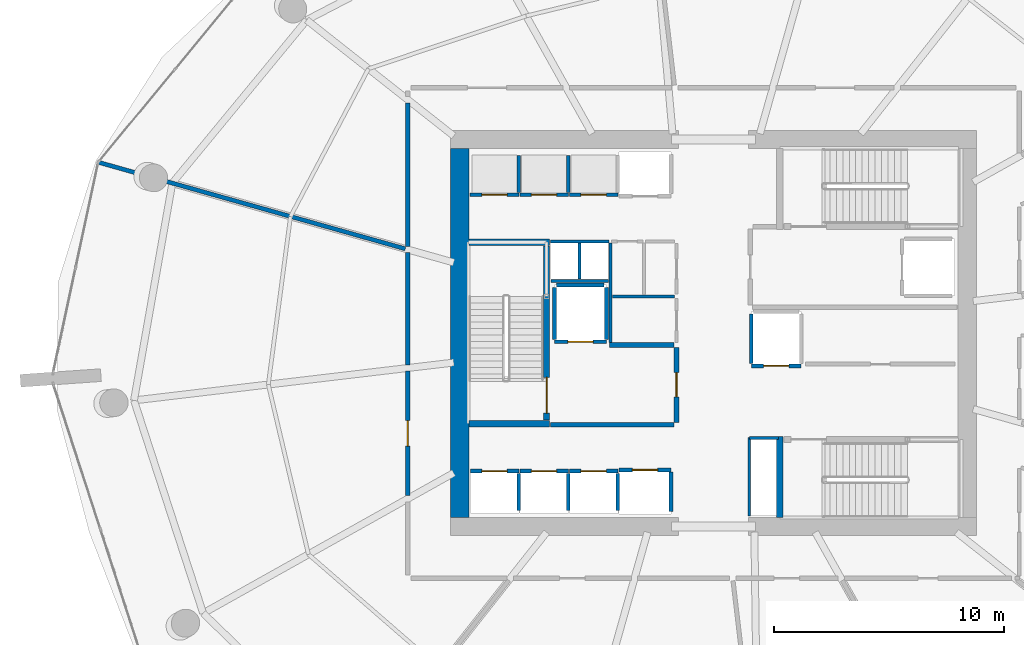
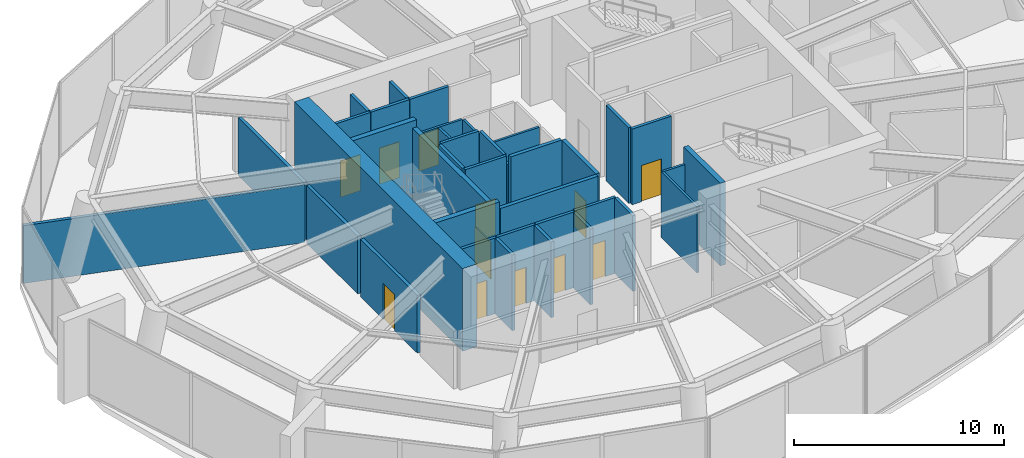
# One storey, part 11 of 16: 38 walls, 12 doors, 12 openings.
"""IFC4 building model written with IfcOpenShell, lengths in metres."""

from ifc_helpers import new_model, si_unit, direction, frame, frame_2d, origin, place, context, subcontext, project, spatial, rectangle, extrude, material, layer, layer_set, type_object, element, fill, save


model = new_model("IFC4")

# Units and contexts
model_context = context("Model", 3, precision=1e-05, world=origin(), true_north=direction((0.0, 1.0)))
body_context = subcontext(model_context, "Body", "Model", "MODEL_VIEW")
ifc_project = project(units=[si_unit("LENGTHUNIT", "METRE"), si_unit("AREAUNIT", "SQUARE_METRE"), si_unit("VOLUMEUNIT", "CUBIC_METRE"), si_unit("PLANEANGLEUNIT", "RADIAN"), si_unit("MASSUNIT", "GRAM", prefix="KILO")], contexts=[model_context])

# Site, building, storey
site_placement = place(None, origin())
site = spatial("IfcSite", under=ifc_project, at=site_placement, CompositionType="ELEMENT")
building_placement = place(site_placement, origin())
building = spatial("IfcBuilding", under=site, at=building_placement, Name="Kazma Halo Residences", CompositionType="ELEMENT")
storey_placement = place(building_placement, frame((0.0, 0.0, 123.0)))
storey = spatial("IfcBuildingStorey", under=building, at=storey_placement, Name="L30", CompositionType="ELEMENT", Elevation=123.0)

# Walls
ifc_material_1 = material(Name="Concrete C80/95", Category="concrete")
ifc_layer_1 = layer(ifc_material_1, 0.800048828125)
ifc_layer_set_1 = layer_set([ifc_layer_1], Name="Concrete C80/95")
wall_type_1 = type_object("IfcWallType", Name="WL-CORE-800", PredefinedType="SHEAR", material=ifc_layer_set_1)
wall_1_placement = place(storey_placement, frame((37.39990234375, 34.0, 0.0), z_axis=(0.0, 0.0, 1.0), x_axis=(0.0, 1.0, 0.0)))
element("IfcWall", 1, at=wall_1_placement, inside=storey, type_object=wall_type_1, Name="L30 central core shear wall W", PredefinedType="SHEAR", context=body_context, shape_type="SweptSolid", body=[
    extrude(rectangle(XDim=16.0, YDim=0.800048828125, at=frame_2d((8.0, 0.0))), origin(), (0.0, 0.0, 1.0), 4.800048828125),
])
ifc_material_2 = material(Name="Concrete C60/75", Category="concrete")
ifc_layer_2 = layer(ifc_material_2, 0.280029296875)
ifc_layer_set_2 = layer_set([ifc_layer_2], Name="Concrete C60/75")
wall_type_2 = type_object("IfcWallType", Name="WL-CORE-ST-280", PredefinedType="SHEAR", material=ifc_layer_set_2)
for number, where, z_axis, x_axis, name in (
    (2, (37.800048828125, 38.06005859375, 0.0), (0.0, 0.0, 1.0), (1.0, 0.0, 0.0), "L30 stairwell bearing wall ST01-S"),
    (3, (37.800048828125, 45.93994140625, 0.0), (0.0, 0.0, 1.0), (1.0, 0.0, 0.0), "L30 stairwell bearing wall ST01-N"),
    (4, (51.31005859375, 34.0, 0.0), (0.0, 0.0, 1.0), (0.0, 1.0, 0.0), "L30 stairwell bearing wall ST03-W"),
):
    element("IfcWall", number, at=place(storey_placement, frame(where, z_axis=z_axis, x_axis=x_axis)), inside=storey, type_object=wall_type_2, Name=name, PredefinedType="SHEAR", context=body_context, shape_type="SweptSolid", body=[
        extrude(rectangle(XDim=3.5, YDim=0.280029296875, at=frame_2d((1.75, 0.0))), origin(), (0.0, 0.0, 1.0), 4.800048828125),
    ])
ifc_material_3 = material(Name="Acoustic Twin-Stud Gypsum")
ifc_layer_3 = layer(ifc_material_3, 0.179931640625)
ifc_layer_set_3 = layer_set([ifc_layer_3], Name="Acoustic Twin-Stud Gypsum")
wall_type_3 = type_object("IfcWallType", Name="WL-DEM-180", PredefinedType="PARTITIONING", material=ifc_layer_set_3)
wall_2_placement = place(storey_placement, frame((35.14990234375, 51.989990234375, 0.0), z_axis=(0.0, 0.0, 1.0), x_axis=(0.0, -1.0, 0.0)))
element("IfcWall", 5, at=wall_2_placement, inside=storey, type_object=wall_type_3, Name="L30 Arabian Gulf Sky Lounge corridor wall", PredefinedType="PARTITIONING", context=body_context, shape_type="SweptSolid", body=[
    extrude(rectangle(XDim=6.225830078125, YDim=0.179931640625, at=frame_2d((3.11279296875, 0.0))), origin(), (0.0, 0.0, 1.0), 3.35693359375),
])
wall_3_placement = place(storey_placement, frame((35.044189453125, 45.654052734375, 0.0), z_axis=(0.0, 0.0, 1.0), x_axis=(-0.962458076293, 0.271430380351, 0.0)))
element("IfcWall", 6, at=wall_3_placement, inside=storey, type_object=wall_type_3, Name="L30 radial partition wall 06", PredefinedType="PARTITIONING", context=body_context, shape_type="SweptSolid", body=[
    extrude(rectangle(XDim=13.822998046875, YDim=0.179931640625, at=frame_2d((6.91162109375, 0.0))), origin(), (0.0, 0.0, 1.0), 3.35693359375),
])
wall_4_placement = place(storey_placement, frame((35.14990234375, 45.484130859375, 0.0), z_axis=(0.0, 0.0, 1.0), x_axis=(0.0, -1.0, 0.0)))
element("IfcWall", 7, at=wall_4_placement, inside=storey, type_object=wall_type_3, Name="L30 Sky Wellness Studio corridor wall", PredefinedType="PARTITIONING", context=body_context, shape_type="SweptSolid", body=[
    extrude(rectangle(XDim=4.864990234375, YDim=0.179931640625, at=frame_2d((2.4326171875, 0.0))), origin(), (0.0, 0.0, 1.0), 3.35693359375),
])

# Wall, opening, door
wall_5_placement = place(storey_placement, frame((35.14990234375, 40.339111328125, 0.0), z_axis=(0.0, 0.0, 1.0), x_axis=(0.0, -1.0, 0.0)))
wall_5 = element("IfcWall", 8, at=wall_5_placement, inside=storey, type_object=wall_type_3, Name="L30 Sky Wellness Studio corridor wall", PredefinedType="PARTITIONING", context=body_context, shape_type="SweptSolid", body=[
    extrude(rectangle(XDim=5.3955078125, YDim=0.179931640625, at=frame_2d((2.69775390625, 0.0))), origin(), (0.0, 0.0, 1.0), 3.35693359375),
])
opening_1_placement = place(wall_5_placement, frame((2.147705078125, 0.0, 0.0)))
opening_1 = element("IfcOpeningElement", 9, at=opening_1_placement, cuts=wall_5, Name="Opening DA-1100", PredefinedType="OPENING", context=body_context, shape_type="SweptSolid", body=[
    extrude(rectangle(XDim=1.10009765625, YDim=2.10009765625, at=frame_2d((0.550048828125, 1.050048828125))), frame((0.0, 0.099853515625, 0.0), z_axis=(0.0, -1.0, 0.0), x_axis=(1.0, 0.0, 0.0)), (0.0, 0.0, 1.0), 0.199951171875),
])
ifc_material_4 = material(Name="Acoustic Walnut Fire Leaf")
door_type_1 = type_object("IfcDoorType", Name="DR-FD60-1100", OperationType="NOTDEFINED", PredefinedType="DOOR", material=ifc_material_4)
door_1_placement = place(opening_1_placement, origin())
door_1 = element("IfcDoor", 10, at=door_1_placement, inside=storey, type_object=door_type_1, Name="L30 Sky Wellness Studio entrance door", OperationType="SINGLE_SWING_RIGHT", OverallHeight=2.10009765625, OverallWidth=1.10009765625, PredefinedType="DOOR", context=body_context, shape_type="SweptSolid", body=[
    extrude(rectangle(XDim=1.10009765625, YDim=2.10009765625, at=frame_2d((0.550048828125, 1.050048828125))), frame((0.0, 0.02490234375, 0.0), z_axis=(0.0, -1.0, 0.0), x_axis=(1.0, 0.0, 0.0)), (0.0, 0.0, 1.0), 0.050048828125),
])
fill(opening_1, door_1)

ifc_material_5 = material(Name="Fire-Rated Blockwork Masonry", Category="masonry")
ifc_layer_4 = layer(ifc_material_5, 0.199951171875)
ifc_layer_set_4 = layer_set([ifc_layer_4], Name="Fire-Rated Blockwork Masonry")
wall_type_4 = type_object("IfcWallType", Name="WL-FLB-200", PredefinedType="PARTITIONING", material=ifc_layer_set_4)
wall_6_placement = place(storey_placement, frame((37.864990234375, 36.0048828125, 0.0), z_axis=(0.0, 0.0, 1.0), x_axis=(1.0, 0.0, 0.0)))
wall_6 = element("IfcWall", 11, at=wall_6_placement, inside=storey, type_object=wall_type_4, Name="L30 lift shaft PL-01 front wall", PredefinedType="PARTITIONING", context=body_context, shape_type="SweptSolid", body=[
    extrude(rectangle(XDim=2.110107421875, YDim=0.159912109375, at=frame_2d((1.05517578125, 0.0))), origin(), (0.0, 0.0, 1.0), 4.39990234375),
])
opening_2_placement = place(wall_6_placement, frame((0.5048828125, 0.0, 0.0)))
opening_2 = element("IfcOpeningElement", 12, at=opening_2_placement, cuts=wall_6, Name="Opening LD-PL-01", PredefinedType="OPENING", context=body_context, shape_type="SweptSolid", body=[
    extrude(rectangle(XDim=1.10009765625, YDim=2.10009765625, at=frame_2d((0.550048828125, 1.050048828125))), frame((0.0, 0.08984375, 0.0), z_axis=(0.0, -1.0, 0.0), x_axis=(1.0, 0.0, 0.0)), (0.0, 0.0, 1.0), 0.179931640625),
])
ifc_material_6 = material(Name="Stainless Steel Fire-Rated", Category="steel")
door_type_2 = type_object("IfcDoorType", Name="DR-LIFT-SLD-1100", OperationType="DOUBLE_DOOR_SLIDING", PredefinedType="DOOR", material=ifc_material_6)
door_2_placement = place(opening_2_placement, origin())
door_2 = element("IfcDoor", 13, at=door_2_placement, inside=storey, type_object=door_type_2, Name="L30 lift PL-01 sliding landing door", OperationType="DOUBLE_DOOR_SLIDING", OverallHeight=2.10009765625, OverallWidth=1.10009765625, PredefinedType="DOOR", context=body_context, shape_type="SweptSolid", body=[
    extrude(rectangle(XDim=1.10009765625, YDim=2.10009765625, at=frame_2d((0.550048828125, 1.050048828125))), frame((0.0, 0.02490234375, 0.0), z_axis=(0.0, -1.0, 0.0), x_axis=(1.0, 0.0, 0.0)), (0.0, 0.0, 1.0), 0.050048828125),
])
fill(opening_2, door_2)

# Wall
wall_7_placement = place(storey_placement, frame((39.97509765625, 34.294921875, 0.0), z_axis=(0.0, 0.0, 1.0), x_axis=(0.0, 1.0, 0.0)))
element("IfcWall", 14, at=wall_7_placement, inside=storey, type_object=wall_type_4, Name="L30 lift shaft PL-01 side wall E", PredefinedType="PARTITIONING", context=body_context, shape_type="SweptSolid", body=[
    extrude(rectangle(XDim=1.610107421875, YDim=0.159912109375, at=frame_2d((0.80517578125, 0.0))), origin(), (0.0, 0.0, 1.0), 4.39990234375),
])

# Wall, opening, door
wall_8_placement = place(storey_placement, frame((40.014892578125, 36.0048828125, 0.0), z_axis=(0.0, 0.0, 1.0), x_axis=(1.0, 0.0, 0.0)))
wall_8 = element("IfcWall", 15, at=wall_8_placement, inside=storey, type_object=wall_type_4, Name="L30 lift shaft PL-02 front wall", PredefinedType="PARTITIONING", context=body_context, shape_type="SweptSolid", body=[
    extrude(rectangle(XDim=2.110107421875, YDim=0.159912109375, at=frame_2d((1.05517578125, 0.0))), origin(), (0.0, 0.0, 1.0), 4.39990234375),
])
opening_3_placement = place(wall_8_placement, frame((0.5048828125, 0.0, 0.0)))
opening_3 = element("IfcOpeningElement", 16, at=opening_3_placement, cuts=wall_8, Name="Opening LD-PL-02", PredefinedType="OPENING", context=body_context, shape_type="SweptSolid", body=[
    extrude(rectangle(XDim=1.10009765625, YDim=2.10009765625, at=frame_2d((0.550048828125, 1.050048828125))), frame((0.0, 0.08984375, 0.0), z_axis=(0.0, -1.0, 0.0), x_axis=(1.0, 0.0, 0.0)), (0.0, 0.0, 1.0), 0.179931640625),
])
door_3_placement = place(opening_3_placement, origin())
door_3 = element("IfcDoor", 17, at=door_3_placement, inside=storey, type_object=door_type_2, Name="L30 lift PL-02 sliding landing door", OperationType="DOUBLE_DOOR_SLIDING", OverallHeight=2.10009765625, OverallWidth=1.10009765625, PredefinedType="DOOR", context=body_context, shape_type="SweptSolid", body=[
    extrude(rectangle(XDim=1.10009765625, YDim=2.10009765625, at=frame_2d((0.550048828125, 1.050048828125))), frame((0.0, 0.02490234375, 0.0), z_axis=(0.0, -1.0, 0.0), x_axis=(1.0, 0.0, 0.0)), (0.0, 0.0, 1.0), 0.050048828125),
])
fill(opening_3, door_3)

# Wall
wall_9_placement = place(storey_placement, frame((42.125, 34.294921875, 0.0), z_axis=(0.0, 0.0, 1.0), x_axis=(0.0, 1.0, 0.0)))
element("IfcWall", 18, at=wall_9_placement, inside=storey, type_object=wall_type_4, Name="L30 lift shaft PL-02 side wall E", PredefinedType="PARTITIONING", context=body_context, shape_type="SweptSolid", body=[
    extrude(rectangle(XDim=1.610107421875, YDim=0.159912109375, at=frame_2d((0.80517578125, 0.0))), origin(), (0.0, 0.0, 1.0), 4.39990234375),
])

# Wall, opening, door
wall_10_placement = place(storey_placement, frame((42.1650390625, 36.0048828125, 0.0), z_axis=(0.0, 0.0, 1.0), x_axis=(1.0, 0.0, 0.0)))
wall_10 = element("IfcWall", 19, at=wall_10_placement, inside=storey, type_object=wall_type_4, Name="L30 lift shaft PL-03 front wall", PredefinedType="PARTITIONING", context=body_context, shape_type="SweptSolid", body=[
    extrude(rectangle(XDim=2.10986328125, YDim=0.159912109375, at=frame_2d((1.054931640625, 0.0))), origin(), (0.0, 0.0, 1.0), 4.39990234375),
])
opening_4_placement = place(wall_10_placement, frame((0.5048828125, 0.0, 0.0)))
opening_4 = element("IfcOpeningElement", 20, at=opening_4_placement, cuts=wall_10, Name="Opening LD-PL-03", PredefinedType="OPENING", context=body_context, shape_type="SweptSolid", body=[
    extrude(rectangle(XDim=1.10009765625, YDim=2.10009765625, at=frame_2d((0.550048828125, 1.050048828125))), frame((0.0, 0.08984375, 0.0), z_axis=(0.0, -1.0, 0.0), x_axis=(1.0, 0.0, 0.0)), (0.0, 0.0, 1.0), 0.179931640625),
])
door_4_placement = place(opening_4_placement, origin())
door_4 = element("IfcDoor", 21, at=door_4_placement, inside=storey, type_object=door_type_2, Name="L30 lift PL-03 sliding landing door", OperationType="DOUBLE_DOOR_SLIDING", OverallHeight=2.10009765625, OverallWidth=1.10009765625, PredefinedType="DOOR", context=body_context, shape_type="SweptSolid", body=[
    extrude(rectangle(XDim=1.10009765625, YDim=2.10009765625, at=frame_2d((0.550048828125, 1.050048828125))), frame((0.0, 0.02490234375, 0.0), z_axis=(0.0, -1.0, 0.0), x_axis=(1.0, 0.0, 0.0)), (0.0, 0.0, 1.0), 0.050048828125),
])
fill(opening_4, door_4)

# Wall
wall_11_placement = place(storey_placement, frame((44.27490234375, 34.294921875, 0.0), z_axis=(0.0, 0.0, 1.0), x_axis=(0.0, 1.0, 0.0)))
element("IfcWall", 22, at=wall_11_placement, inside=storey, type_object=wall_type_4, Name="L30 lift shaft PL-03 side wall E", PredefinedType="PARTITIONING", context=body_context, shape_type="SweptSolid", body=[
    extrude(rectangle(XDim=1.610107421875, YDim=0.159912109375, at=frame_2d((0.80517578125, 0.0))), origin(), (0.0, 0.0, 1.0), 4.39990234375),
])

# Wall, opening, door
wall_12_placement = place(storey_placement, frame((39.97509765625, 47.9951171875, 0.0), z_axis=(0.0, 0.0, 1.0), x_axis=(-1.0, 0.0, 0.0)))
wall_12 = element("IfcWall", 23, at=wall_12_placement, inside=storey, type_object=wall_type_4, Name="L30 lift shaft PM-01 front wall", PredefinedType="PARTITIONING", context=body_context, shape_type="SweptSolid", body=[
    extrude(rectangle(XDim=2.110107421875, YDim=0.159912109375, at=frame_2d((1.05517578125, 0.0))), origin(), (0.0, 0.0, 1.0), 4.39990234375),
])
opening_5_placement = place(wall_12_placement, frame((0.5048828125, 0.0, 0.0)))
opening_5 = element("IfcOpeningElement", 24, at=opening_5_placement, cuts=wall_12, Name="Opening LD-PM-01", PredefinedType="OPENING", context=body_context, shape_type="SweptSolid", body=[
    extrude(rectangle(XDim=1.10009765625, YDim=2.10009765625, at=frame_2d((0.550048828125, 1.050048828125))), frame((0.0, 0.08984375, 0.0), z_axis=(0.0, -1.0, 0.0), x_axis=(1.0, 0.0, 0.0)), (0.0, 0.0, 1.0), 0.179931640625),
])
door_5_placement = place(opening_5_placement, origin())
door_5 = element("IfcDoor", 25, at=door_5_placement, inside=storey, type_object=door_type_2, Name="L30 lift PM-01 sliding landing door", OperationType="DOUBLE_DOOR_SLIDING", OverallHeight=2.10009765625, OverallWidth=1.10009765625, PredefinedType="DOOR", context=body_context, shape_type="SweptSolid", body=[
    extrude(rectangle(XDim=1.10009765625, YDim=2.10009765625, at=frame_2d((0.550048828125, 1.050048828125))), frame((0.0, 0.02490234375, 0.0), z_axis=(0.0, -1.0, 0.0), x_axis=(1.0, 0.0, 0.0)), (0.0, 0.0, 1.0), 0.050048828125),
])
fill(opening_5, door_5)

# Wall
wall_13_placement = place(storey_placement, frame((39.97509765625, 48.094970703125, 0.0), z_axis=(0.0, 0.0, 1.0), x_axis=(0.0, 1.0, 0.0)))
element("IfcWall", 26, at=wall_13_placement, inside=storey, type_object=wall_type_4, Name="L30 lift shaft PM-01 side wall E", PredefinedType="PARTITIONING", context=body_context, shape_type="SweptSolid", body=[
    extrude(rectangle(XDim=1.610107421875, YDim=0.159912109375, at=frame_2d((0.80517578125, 0.0))), origin(), (0.0, 0.0, 1.0), 4.39990234375),
])

# Wall, opening, door
wall_14_placement = place(storey_placement, frame((42.125, 47.9951171875, 0.0), z_axis=(0.0, 0.0, 1.0), x_axis=(-1.0, 0.0, 0.0)))
wall_14 = element("IfcWall", 27, at=wall_14_placement, inside=storey, type_object=wall_type_4, Name="L30 lift shaft PM-02 front wall", PredefinedType="PARTITIONING", context=body_context, shape_type="SweptSolid", body=[
    extrude(rectangle(XDim=2.110107421875, YDim=0.159912109375, at=frame_2d((1.05517578125, 0.0))), origin(), (0.0, 0.0, 1.0), 4.39990234375),
])
opening_6_placement = place(wall_14_placement, frame((0.5048828125, 0.0, 0.0)))
opening_6 = element("IfcOpeningElement", 28, at=opening_6_placement, cuts=wall_14, Name="Opening LD-PM-02", PredefinedType="OPENING", context=body_context, shape_type="SweptSolid", body=[
    extrude(rectangle(XDim=1.10009765625, YDim=2.10009765625, at=frame_2d((0.550048828125, 1.050048828125))), frame((0.0, 0.08984375, 0.0), z_axis=(0.0, -1.0, 0.0), x_axis=(1.0, 0.0, 0.0)), (0.0, 0.0, 1.0), 0.179931640625),
])
door_6_placement = place(opening_6_placement, origin())
door_6 = element("IfcDoor", 29, at=door_6_placement, inside=storey, type_object=door_type_2, Name="L30 lift PM-02 sliding landing door", OperationType="DOUBLE_DOOR_SLIDING", OverallHeight=2.10009765625, OverallWidth=1.10009765625, PredefinedType="DOOR", context=body_context, shape_type="SweptSolid", body=[
    extrude(rectangle(XDim=1.10009765625, YDim=2.10009765625, at=frame_2d((0.550048828125, 1.050048828125))), frame((0.0, 0.02490234375, 0.0), z_axis=(0.0, -1.0, 0.0), x_axis=(1.0, 0.0, 0.0)), (0.0, 0.0, 1.0), 0.050048828125),
])
fill(opening_6, door_6)

# Wall
wall_15_placement = place(storey_placement, frame((42.125, 48.094970703125, 0.0), z_axis=(0.0, 0.0, 1.0), x_axis=(0.0, 1.0, 0.0)))
element("IfcWall", 30, at=wall_15_placement, inside=storey, type_object=wall_type_4, Name="L30 lift shaft PM-02 side wall E", PredefinedType="PARTITIONING", context=body_context, shape_type="SweptSolid", body=[
    extrude(rectangle(XDim=1.610107421875, YDim=0.159912109375, at=frame_2d((0.80517578125, 0.0))), origin(), (0.0, 0.0, 1.0), 4.39990234375),
])

# Wall, opening, door
wall_16_placement = place(storey_placement, frame((44.27490234375, 47.9951171875, 0.0), z_axis=(0.0, 0.0, 1.0), x_axis=(-1.0, 0.0, 0.0)))
wall_16 = element("IfcWall", 31, at=wall_16_placement, inside=storey, type_object=wall_type_4, Name="L30 lift shaft PM-03 front wall", PredefinedType="PARTITIONING", context=body_context, shape_type="SweptSolid", body=[
    extrude(rectangle(XDim=2.10986328125, YDim=0.159912109375, at=frame_2d((1.054931640625, 0.0))), origin(), (0.0, 0.0, 1.0), 4.39990234375),
])
opening_7_placement = place(wall_16_placement, frame((0.5048828125, 0.0, 0.0)))
opening_7 = element("IfcOpeningElement", 32, at=opening_7_placement, cuts=wall_16, Name="Opening LD-PM-03", PredefinedType="OPENING", context=body_context, shape_type="SweptSolid", body=[
    extrude(rectangle(XDim=1.10009765625, YDim=2.10009765625, at=frame_2d((0.550048828125, 1.050048828125))), frame((0.0, 0.08984375, 0.0), z_axis=(0.0, -1.0, 0.0), x_axis=(1.0, 0.0, 0.0)), (0.0, 0.0, 1.0), 0.179931640625),
])
door_7_placement = place(opening_7_placement, origin())
door_7 = element("IfcDoor", 33, at=door_7_placement, inside=storey, type_object=door_type_2, Name="L30 lift PM-03 sliding landing door", OperationType="DOUBLE_DOOR_SLIDING", OverallHeight=2.10009765625, OverallWidth=1.10009765625, PredefinedType="DOOR", context=body_context, shape_type="SweptSolid", body=[
    extrude(rectangle(XDim=1.10009765625, YDim=2.10009765625, at=frame_2d((0.550048828125, 1.050048828125))), frame((0.0, 0.02490234375, 0.0), z_axis=(0.0, -1.0, 0.0), x_axis=(1.0, 0.0, 0.0)), (0.0, 0.0, 1.0), 0.050048828125),
])
fill(opening_7, door_7)

wall_17_placement = place(storey_placement, frame((44.320068359375, 36.054931640625, 0.0), z_axis=(0.0, 0.0, 1.0), x_axis=(1.0, 0.0, 0.0)))
wall_17 = element("IfcWall", 34, at=wall_17_placement, inside=storey, type_object=wall_type_4, Name="L30 lift shaft PX-02 front wall", PredefinedType="PARTITIONING", context=body_context, shape_type="SweptSolid", body=[
    extrude(rectangle(XDim=2.260009765625, YDim=0.159912109375, at=frame_2d((1.1298828125, 0.0))), origin(), (0.0, 0.0, 1.0), 4.39990234375),
])
opening_8_placement = place(wall_17_placement, frame((0.580078125, 0.0, 0.0)))
opening_8 = element("IfcOpeningElement", 35, at=opening_8_placement, cuts=wall_17, Name="Opening LD-PX-02", PredefinedType="OPENING", context=body_context, shape_type="SweptSolid", body=[
    extrude(rectangle(XDim=1.10009765625, YDim=2.10009765625, at=frame_2d((0.550048828125, 1.050048828125))), frame((0.0, 0.08984375, 0.0), z_axis=(0.0, -1.0, 0.0), x_axis=(1.0, 0.0, 0.0)), (0.0, 0.0, 1.0), 0.179931640625),
])
door_8_placement = place(opening_8_placement, origin())
door_8 = element("IfcDoor", 36, at=door_8_placement, inside=storey, type_object=door_type_2, Name="L30 lift PX-02 sliding landing door", OperationType="DOUBLE_DOOR_SLIDING", OverallHeight=2.10009765625, OverallWidth=1.10009765625, PredefinedType="DOOR", context=body_context, shape_type="SweptSolid", body=[
    extrude(rectangle(XDim=1.10009765625, YDim=2.10009765625, at=frame_2d((0.550048828125, 1.050048828125))), frame((0.0, 0.02490234375, 0.0), z_axis=(0.0, -1.0, 0.0), x_axis=(1.0, 0.0, 0.0)), (0.0, 0.0, 1.0), 0.050048828125),
])
fill(opening_8, door_8)

# Wall
wall_18_placement = place(storey_placement, frame((46.580078125, 34.2451171875, 0.0), z_axis=(0.0, 0.0, 1.0), x_axis=(0.0, 1.0, 0.0)))
element("IfcWall", 37, at=wall_18_placement, inside=storey, type_object=wall_type_4, Name="L30 lift shaft PX-02 side wall E", PredefinedType="PARTITIONING", context=body_context, shape_type="SweptSolid", body=[
    extrude(rectangle(XDim=1.7099609375, YDim=0.159912109375, at=frame_2d((0.85498046875, 0.0))), origin(), (0.0, 0.0, 1.0), 4.39990234375),
])

# Wall, opening, door
wall_19_placement = place(storey_placement, frame((43.780029296875, 41.6201171875, 0.0), z_axis=(0.0, 0.0, 1.0), x_axis=(-1.0, 0.0, 0.0)))
wall_19 = element("IfcWall", 38, at=wall_19_placement, inside=storey, type_object=wall_type_4, Name="L30 lift shaft FL-01 front wall", PredefinedType="PARTITIONING", context=body_context, shape_type="SweptSolid", body=[
    extrude(rectangle(XDim=2.260009765625, YDim=0.159912109375, at=frame_2d((1.1298828125, 0.0))), origin(), (0.0, 0.0, 1.0), 4.39990234375),
])
opening_9_placement = place(wall_19_placement, frame((0.580078125, 0.0, 0.0)))
opening_9 = element("IfcOpeningElement", 39, at=opening_9_placement, cuts=wall_19, Name="Opening LD-FL-01", PredefinedType="OPENING", context=body_context, shape_type="SweptSolid", body=[
    extrude(rectangle(XDim=1.10009765625, YDim=2.10009765625, at=frame_2d((0.550048828125, 1.050048828125))), frame((0.0, 0.08984375, 0.0), z_axis=(0.0, -1.0, 0.0), x_axis=(1.0, 0.0, 0.0)), (0.0, 0.0, 1.0), 0.179931640625),
])
door_9_placement = place(opening_9_placement, origin())
door_9 = element("IfcDoor", 40, at=door_9_placement, inside=storey, type_object=door_type_2, Name="L30 lift FL-01 sliding landing door", OperationType="DOUBLE_DOOR_SLIDING", OverallHeight=2.10009765625, OverallWidth=1.10009765625, PredefinedType="DOOR", context=body_context, shape_type="SweptSolid", body=[
    extrude(rectangle(XDim=1.10009765625, YDim=2.10009765625, at=frame_2d((0.550048828125, 1.050048828125))), frame((0.0, 0.02490234375, 0.0), z_axis=(0.0, -1.0, 0.0), x_axis=(1.0, 0.0, 0.0)), (0.0, 0.0, 1.0), 0.050048828125),
])
fill(opening_9, door_9)

# Walls
for number, where, z_axis, x_axis, name in (
    (41, (43.780029296875, 41.719970703125, 0.0), (0.0, 0.0, 1.0), (0.0, 1.0, 0.0), "L30 lift shaft FL-01 side wall E"),
    (42, (41.52001953125, 41.719970703125, 0.0), (0.0, 0.0, 1.0), (0.0, 1.0, 0.0), "L30 lift shaft FL-01 side wall W"),
):
    element("IfcWall", number, at=place(storey_placement, frame(where, z_axis=z_axis, x_axis=x_axis)), inside=storey, type_object=wall_type_4, Name=name, PredefinedType="PARTITIONING", context=body_context, shape_type="SweptSolid", body=[
        extrude(rectangle(XDim=2.260009765625, YDim=0.159912109375, at=frame_2d((1.1298828125, 0.0))), origin(), (0.0, 0.0, 1.0), 4.39990234375),
    ])
wall_20_placement = place(storey_placement, frame((41.6201171875, 44.080078125, 0.0), z_axis=(0.0, 0.0, 1.0), x_axis=(1.0, 0.0, 0.0)))
element("IfcWall", 43, at=wall_20_placement, inside=storey, type_object=wall_type_4, Name="L30 lift shaft FL-01 side wall N", PredefinedType="PARTITIONING", context=body_context, shape_type="SweptSolid", body=[
    extrude(rectangle(XDim=2.059814453125, YDim=0.159912109375, at=frame_2d((1.02978515625, 0.0))), origin(), (0.0, 0.0, 1.0), 4.39990234375),
])

# Wall, opening, door
wall_21_placement = place(storey_placement, frame((52.22998046875, 40.570068359375, 0.0), z_axis=(0.0, 0.0, 1.0), x_axis=(-1.0, 0.0, 0.0)))
wall_21 = element("IfcWall", 44, at=wall_21_placement, inside=storey, type_object=wall_type_4, Name="L30 lift shaft SV-01 front wall", PredefinedType="PARTITIONING", context=body_context, shape_type="SweptSolid", body=[
    extrude(rectangle(XDim=2.159912109375, YDim=0.159912109375, at=frame_2d((1.080078125, 0.0))), origin(), (0.0, 0.0, 1.0), 4.39990234375),
])
opening_10_placement = place(wall_21_placement, frame((0.530029296875, 0.0, 0.0)))
opening_10 = element("IfcOpeningElement", 45, at=opening_10_placement, cuts=wall_21, Name="Opening LD-SV-01", PredefinedType="OPENING", context=body_context, shape_type="SweptSolid", body=[
    extrude(rectangle(XDim=1.10009765625, YDim=2.10009765625, at=frame_2d((0.550048828125, 1.050048828125))), frame((0.0, 0.08984375, 0.0), z_axis=(0.0, -1.0, 0.0), x_axis=(1.0, 0.0, 0.0)), (0.0, 0.0, 1.0), 0.179931640625),
])
door_10_placement = place(opening_10_placement, origin())
door_10 = element("IfcDoor", 46, at=door_10_placement, inside=storey, type_object=door_type_2, Name="L30 lift SV-01 sliding landing door", OperationType="DOUBLE_DOOR_SLIDING", OverallHeight=2.10009765625, OverallWidth=1.10009765625, PredefinedType="DOOR", context=body_context, shape_type="SweptSolid", body=[
    extrude(rectangle(XDim=1.10009765625, YDim=2.10009765625, at=frame_2d((0.550048828125, 1.050048828125))), frame((0.0, 0.02490234375, 0.0), z_axis=(0.0, -1.0, 0.0), x_axis=(1.0, 0.0, 0.0)), (0.0, 0.0, 1.0), 0.050048828125),
])
fill(opening_10, door_10)

# Walls
wall_22_placement = place(storey_placement, frame((50.070068359375, 40.669921875, 0.0), z_axis=(0.0, 0.0, 1.0), x_axis=(0.0, 1.0, 0.0)))
element("IfcWall", 47, at=wall_22_placement, inside=storey, type_object=wall_type_4, Name="L30 lift shaft SV-01 side wall W", PredefinedType="PARTITIONING", context=body_context, shape_type="SweptSolid", body=[
    extrude(rectangle(XDim=2.16015625, YDim=0.159912109375, at=frame_2d((1.080078125, 0.0))), origin(), (0.0, 0.0, 1.0), 4.39990234375),
])
wall_23_placement = place(storey_placement, frame((41.35009765625, 38.02001953125, 0.0), z_axis=(0.0, 0.0, 1.0), x_axis=(1.0, 0.0, 0.0)))
element("IfcWall", 48, at=wall_23_placement, inside=storey, type_object=wall_type_4, Name="L30 west firefighting lobby south smoke wall", PredefinedType="PARTITIONING", context=body_context, shape_type="SweptSolid", body=[
    extrude(rectangle(XDim=5.369873046875, YDim=0.199951171875, at=frame_2d((2.68505859375, 0.0))), origin(), (0.0, 0.0, 1.0), 4.39990234375),
])
wall_24_placement = place(storey_placement, frame((43.919921875, 41.47998046875, 0.0), z_axis=(0.0, 0.0, 1.0), x_axis=(1.0, 0.0, 0.0)))
element("IfcWall", 49, at=wall_24_placement, inside=storey, type_object=wall_type_4, Name="L30 west firefighting lobby north smoke wall", PredefinedType="PARTITIONING", context=body_context, shape_type="SweptSolid", body=[
    extrude(rectangle(XDim=2.800048828125, YDim=0.199951171875, at=frame_2d((1.39990234375, 0.0))), origin(), (0.0, 0.0, 1.0), 4.39990234375),
])

# Wall, opening, door
wall_25_placement = place(storey_placement, frame((46.820068359375, 38.1201171875, 0.0), z_axis=(0.0, 0.0, 1.0), x_axis=(0.0, 1.0, 0.0)))
wall_25 = element("IfcWall", 50, at=wall_25_placement, inside=storey, type_object=wall_type_4, Name="L30 west firefighting lobby smoke wall", PredefinedType="PARTITIONING", context=body_context, shape_type="SweptSolid", body=[
    extrude(rectangle(XDim=3.259765625, YDim=0.199951171875, at=frame_2d((1.6298828125, 0.0))), origin(), (0.0, 0.0, 1.0), 4.39990234375),
])
opening_11_placement = place(wall_25_placement, frame((1.10498046875, 0.0, 0.0)))
opening_11 = element("IfcOpeningElement", 51, at=opening_11_placement, cuts=wall_25, Name="Opening D-FLW", PredefinedType="OPENING", context=body_context, shape_type="SweptSolid", body=[
    extrude(rectangle(XDim=1.050048828125, YDim=2.10009765625, at=frame_2d((0.52490234375, 1.050048828125))), frame((0.0, 0.10986328125, 0.0), z_axis=(0.0, -1.0, 0.0), x_axis=(1.0, 0.0, 0.0)), (0.0, 0.0, 1.0), 0.219970703125),
])
ifc_material_7 = material(Name="Fire-Rated Steel Leaf", Category="steel")
door_type_3 = type_object("IfcDoorType", Name="DR-FD90-1050", OperationType="NOTDEFINED", PredefinedType="DOOR", material=ifc_material_7)
door_11_placement = place(opening_11_placement, origin())
door_11 = element("IfcDoor", 52, at=door_11_placement, inside=storey, type_object=door_type_3, Name="L30 west firefighting lobby smoke door", OperationType="SINGLE_SWING_LEFT", OverallHeight=2.10009765625, OverallWidth=1.050048828125, PredefinedType="DOOR", context=body_context, shape_type="SweptSolid", body=[
    extrude(rectangle(XDim=1.050048828125, YDim=2.10009765625, at=frame_2d((0.52490234375, 1.050048828125))), frame((0.0, 0.02490234375, 0.0), z_axis=(0.0, -1.0, 0.0), x_axis=(1.0, 0.0, 0.0)), (0.0, 0.0, 1.0), 0.050048828125),
])
fill(opening_11, door_11)

# Walls
ifc_material_8 = material(Name="Gypsum Plasterboard Partition")
ifc_layer_5 = layer(ifc_material_8, 0.125)
ifc_layer_set_5 = layer_set([ifc_layer_5], Name="Gypsum Plasterboard Partition")
wall_type_5 = type_object("IfcWallType", Name="WL-PART-125", PredefinedType="PARTITIONING", material=ifc_layer_set_5)
wall_26_placement = place(storey_placement, frame((41.360107421875, 44.260009765625, 0.0), z_axis=(0.0, 0.0, 1.0), x_axis=(1.0, 0.0, 0.0)))
element("IfcWall", 53, at=wall_26_placement, inside=storey, type_object=wall_type_5, Name="L30 core riser south wall", PredefinedType="PARTITIONING", context=body_context, shape_type="SweptSolid", body=[
    extrude(rectangle(XDim=2.5, YDim=0.125, at=frame_2d((1.25, 0.0))), origin(), (0.0, 0.0, 1.0), 3.840087890625),
])
wall_27_placement = place(storey_placement, frame((42.60009765625, 44.35009765625, 0.0), z_axis=(0.0, 0.0, 1.0), x_axis=(0.0, 1.0, 0.0)))
element("IfcWall", 54, at=wall_27_placement, inside=storey, type_object=wall_type_5, Name="L30 core riser divider wall", PredefinedType="PARTITIONING", context=body_context, shape_type="SweptSolid", body=[
    extrude(rectangle(XDim=1.5498046875, YDim=0.125, at=frame_2d((0.77490234375, 0.0))), origin(), (0.0, 0.0, 1.0), 3.840087890625),
])
wall_28_placement = place(storey_placement, frame((49.97998046875, 34.06005859375, 0.0), z_axis=(0.0, 0.0, 1.0), x_axis=(0.0, 1.0, 0.0)))
element("IfcWall", 55, at=wall_28_placement, inside=storey, type_object=wall_type_5, Name="L30 standpipe riser wall", PredefinedType="PARTITIONING", context=body_context, shape_type="SweptSolid", body=[
    extrude(rectangle(XDim=3.39990234375, YDim=0.125, at=frame_2d((1.699951171875, 0.0))), origin(), (0.0, 0.0, 1.0), 3.840087890625),
])
wall_29_placement = place(storey_placement, frame((49.97998046875, 37.43994140625, 0.0), z_axis=(0.0, 0.0, 1.0), x_axis=(1.0, 0.0, 0.0)))
element("IfcWall", 56, at=wall_29_placement, inside=storey, type_object=wall_type_5, Name="L30 standpipe riser north wall", PredefinedType="PARTITIONING", context=body_context, shape_type="SweptSolid", body=[
    extrude(rectangle(XDim=1.260009765625, YDim=0.125, at=frame_2d((0.6298828125, 0.0))), origin(), (0.0, 0.0, 1.0), 3.840087890625),
])
wall_30_placement = place(storey_placement, frame((43.949951171875, 41.580078125, 0.0), z_axis=(0.0, 0.0, 1.0), x_axis=(0.0, 1.0, 0.0)))
element("IfcWall", 57, at=wall_30_placement, inside=storey, type_object=wall_type_5, Name="L30 core service west wall", PredefinedType="PARTITIONING", context=body_context, shape_type="SweptSolid", body=[
    extrude(rectangle(XDim=4.31982421875, YDim=0.125, at=frame_2d((2.159912109375, 0.0))), origin(), (0.0, 0.0, 1.0), 3.840087890625),
])
wall_31_placement = place(storey_placement, frame((44.030029296875, 43.590087890625, 0.0), z_axis=(0.0, 0.0, 1.0), x_axis=(1.0, 0.0, 0.0)))
element("IfcWall", 58, at=wall_31_placement, inside=storey, type_object=wall_type_5, Name="L30 core service horiz divider", PredefinedType="PARTITIONING", context=body_context, shape_type="SweptSolid", body=[
    extrude(rectangle(XDim=2.7099609375, YDim=0.125, at=frame_2d((1.35498046875, 0.0))), origin(), (0.0, 0.0, 1.0), 3.840087890625),
])
wall_32_placement = place(storey_placement, frame((41.35009765625, 45.97998046875, 0.0), z_axis=(0.0, 0.0, 1.0), x_axis=(1.0, 0.0, 0.0)))
element("IfcWall", 59, at=wall_32_placement, inside=storey, type_object=wall_type_5, Name="L30 core riser NW wall", PredefinedType="PARTITIONING", context=body_context, shape_type="SweptSolid", body=[
    extrude(rectangle(XDim=2.52978515625, YDim=0.125, at=frame_2d((1.264892578125, 0.0))), origin(), (0.0, 0.0, 1.0), 3.840087890625),
])

# Wall, opening, door
ifc_material_9 = material(Name="Concrete C50/60", Category="concrete")
ifc_layer_6 = layer(ifc_material_9, 0.25)
ifc_layer_set_6 = layer_set([ifc_layer_6], Name="Concrete C50/60")
wall_type_6 = type_object("IfcWallType", Name="WL-SHF-250", PredefinedType="SOLIDWALL", material=ifc_layer_set_6)
wall_33_placement = place(storey_placement, frame((41.179931640625, 38.219970703125, 0.0), z_axis=(0.0, 0.0, 1.0), x_axis=(0.0, 1.0, 0.0)))
wall_33 = element("IfcWall", 60, at=wall_33_placement, inside=storey, type_object=wall_type_6, Name="L30 exit stair ST-01 enclosure wall", PredefinedType="SOLIDWALL", context=body_context, shape_type="SweptSolid", body=[
    extrude(rectangle(XDim=7.56005859375, YDim=0.25, at=frame_2d((3.780029296875, 0.0))), origin(), (0.0, 0.0, 1.0), 4.39990234375),
])
opening_12_placement = place(wall_33_placement, frame((0.300048828125, 0.0, 0.0)))
opening_12 = element("IfcOpeningElement", 61, at=opening_12_placement, cuts=wall_33, Name="Opening D-ST1", PredefinedType="OPENING", context=body_context, shape_type="SweptSolid", body=[
    extrude(rectangle(XDim=1.550048828125, YDim=2.14990234375, at=frame_2d((0.77490234375, 1.074951171875))), frame((0.0, 0.135009765625, 0.0), z_axis=(0.0, -1.0, 0.0), x_axis=(1.0, 0.0, 0.0)), (0.0, 0.0, 1.0), 0.27001953125),
])
ifc_material_10 = material(Name="Fire-Rated Double Steel Leaf", Category="steel")
door_type_4 = type_object("IfcDoorType", Name="DR-FD90-1550", OperationType="NOTDEFINED", PredefinedType="DOOR", material=ifc_material_10)
door_12_placement = place(opening_12_placement, origin())
door_12 = element("IfcDoor", 62, at=door_12_placement, inside=storey, type_object=door_type_4, Name="L30 exit stair ST-01 fire door", OperationType="DOUBLE_DOOR_SINGLE_SWING", OverallHeight=2.14990234375, OverallWidth=1.550048828125, PredefinedType="DOOR", context=body_context, shape_type="SweptSolid", body=[
    extrude(rectangle(XDim=1.550048828125, YDim=2.14990234375, at=frame_2d((0.77490234375, 1.074951171875))), frame((0.0, 0.02490234375, 0.0), z_axis=(0.0, -1.0, 0.0), x_axis=(1.0, 0.0, 0.0)), (0.0, 0.0, 1.0), 0.050048828125),
])
fill(opening_12, door_12)

save(model, "model.ifc")
